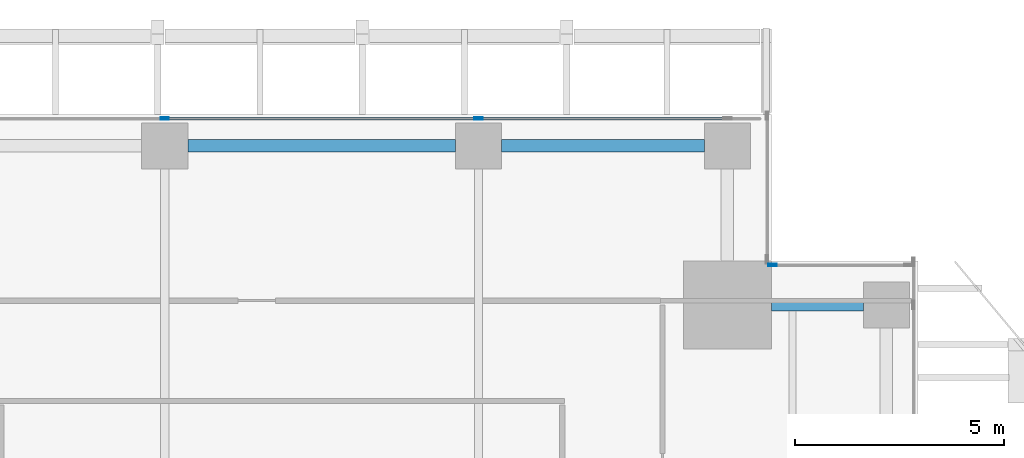
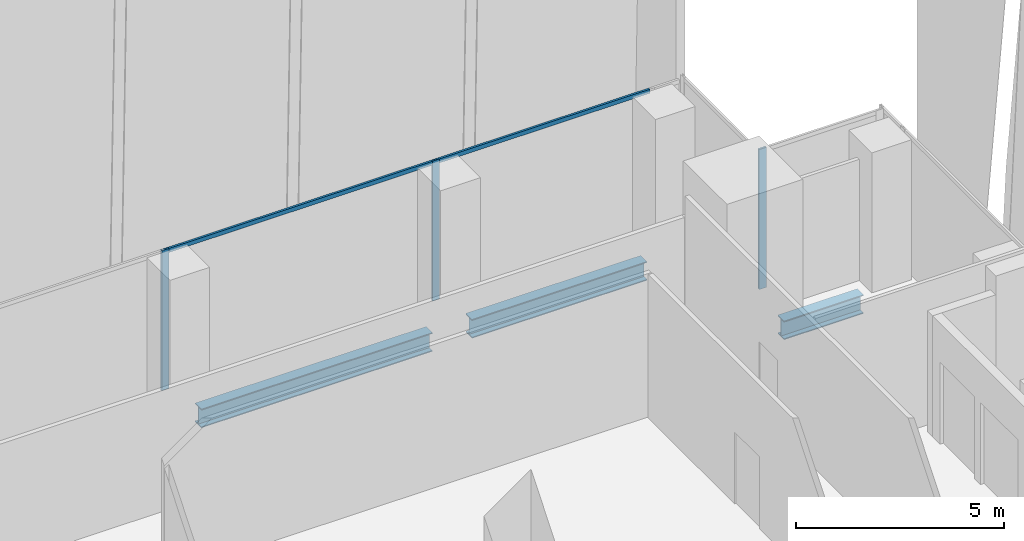
# One storey, part 18 of 35: 5 members, 3 beams, 2 elements without a shape of their own.
"""IFC4 building model written with IfcOpenShell, lengths in metres."""

from ifc_helpers import new_model, si_unit, direction, frame, origin, origin_2d, place, context, subcontext, project, spatial, hollow_rectangle, i_section, extrude, source, transform, mapped, material, material_profile, profile_set, type_object, element, aggregate, save


model = new_model("IFC4")

# Units and contexts
model_context = context("Model", 3, precision=1e-05, world=origin(), true_north=direction((0.0, 1.0)))
body_context = subcontext(model_context, "Body", "Model", "MODEL_VIEW")
ifc_project = project(units=[si_unit("LENGTHUNIT", "METRE"), si_unit("AREAUNIT", "SQUARE_METRE"), si_unit("VOLUMEUNIT", "CUBIC_METRE"), si_unit("PLANEANGLEUNIT", "RADIAN"), si_unit("MASSUNIT", "GRAM", prefix="KILO")], contexts=[model_context])

# Site, building, storey
site_placement = place(None, origin())
site = spatial("IfcSite", under=ifc_project, at=site_placement, CompositionType="ELEMENT")
building_placement = place(site_placement, origin())
building = spatial("IfcBuilding", under=site, at=building_placement, Name="Khomas Fold Tower", CompositionType="ELEMENT")
storey_placement = place(building_placement, frame((0.0, 0.0, 127.89990234375)))
storey = spatial("IfcBuildingStorey", under=building, at=storey_placement, Name="L27", CompositionType="ELEMENT", Elevation=127.89990234375)

# Beams
ifc_material_1 = material(Name="Steel S355", Category="steel")
ifc_material_profile_1 = material_profile(ifc_material_1, i_section(OverallWidth=0.300048828125, OverallDepth=0.550048828125, WebThickness=0.014892578125, FlangeThickness=0.029052734375, at=origin_2d()), Name="HE 550 B")
ifc_profile_set_1 = profile_set([ifc_material_profile_1], Name="Steel S355")
beam_type = type_object("IfcBeamType", Name="HE 550 B spandrel SB2", PredefinedType="SPANDREL", material=ifc_profile_set_1)
shared_shape_1 = source(origin(), body_context, "Body", "SweptSolid", [
    extrude(i_section(OverallWidth=0.300048828125, OverallDepth=0.550048828125, WebThickness=0.014892578125, FlangeThickness=0.029052734375, at=origin_2d()), origin(), (0.0, 0.0, 1.0), 4.849853515625),
])
beam_1_placement = place(storey_placement, frame((42.550048828125, 51.75, -0.574951171875), z_axis=(1.0, 0.0, 0.0), x_axis=(0.0, 1.0, 0.0)))
element("IfcBeam", 1, at=beam_1_placement, inside=storey, type_object=beam_type, Name="SB2", PredefinedType="SPANDREL", context=body_context, shape_type="MappedRepresentation", body=[
    mapped(shared_shape_1, transform((0.0, 0.0, 0.0))),
])
shared_shape_2 = source(origin(), body_context, "Body", "SweptSolid", [
    extrude(i_section(OverallWidth=0.300048828125, OverallDepth=0.550048828125, WebThickness=0.014892578125, FlangeThickness=0.029052734375, at=origin_2d()), origin(), (0.0, 0.0, 1.0), 6.39990234375),
])
beam_2_placement = place(storey_placement, frame((35.050048828125, 51.75, -0.574951171875), z_axis=(1.0, 0.0, 0.0), x_axis=(0.0, 1.0, 0.0)))
element("IfcBeam", 2, at=beam_2_placement, inside=storey, type_object=beam_type, Name="SB2", PredefinedType="SPANDREL", context=body_context, shape_type="MappedRepresentation", body=[
    mapped(shared_shape_2, transform((0.0, 0.0, 0.0))),
])
shared_shape_3 = source(origin(), body_context, "Body", "SweptSolid", [
    extrude(i_section(OverallWidth=0.300048828125, OverallDepth=0.550048828125, WebThickness=0.014892578125, FlangeThickness=0.029052734375, at=origin_2d()), origin(), (0.0, 0.0, 1.0), 2.199951171875),
])
beam_3_placement = place(storey_placement, frame((49.0, 47.949951171875, -0.574951171875), z_axis=(1.0, 0.0, 0.0), x_axis=(0.0, 1.0, 0.0)))
element("IfcBeam", 3, at=beam_3_placement, inside=storey, type_object=beam_type, Name="SB2", PredefinedType="SPANDREL", context=body_context, shape_type="MappedRepresentation", body=[
    mapped(shared_shape_3, transform((0.0, 0.0, 0.0))),
])

# Curtain wall, member
ifc_material_2 = material(Name="Aluminium framed double glazing", Category="aluminium")
curtain_wall_type = type_object("IfcCurtainWallType", Name="SK-Unitised clear-glass wall, growing floors CW1", PredefinedType="NOTDEFINED", material=ifc_material_2)
curtain_wall_1_placement = place(storey_placement, origin())
curtain_wall_1 = element("IfcCurtainWall", 4, at=curtain_wall_1_placement, inside=storey, type_object=curtain_wall_type, Name="CW1 run L27 06-0", PredefinedType="NOTDEFINED")
ifc_material_3 = material(Name="Aluminium", Category="aluminium")
ifc_material_profile_2 = material_profile(ifc_material_3, hollow_rectangle(XDim=0.06005859375, YDim=0.1201171875, WallThickness=0.00390625, at=origin_2d()), Name="SK-Unitised clear-glass wall, growing floors transom CW1-T")
ifc_profile_set_2 = profile_set([ifc_material_profile_2], Name="Aluminium")
member_type_1 = type_object("IfcMemberType", Name="SK-Unitised clear-glass wall, growing floors transom CW1-T", PredefinedType="USERDEFINED", material=ifc_profile_set_2)
shared_shape_4 = source(origin(), body_context, "Body", "SweptSolid", [
    extrude(hollow_rectangle(XDim=0.06005859375, YDim=0.1201171875, WallThickness=0.00390625, at=origin_2d()), origin(), (0.0, 0.0, 1.0), 7.43994140625),
])
member_1_placement = place(storey_placement, frame((41.969970703125, 52.39990234375, 4.0400390625), z_axis=(-1.0, 0.0, 0.0), x_axis=(0.0, -1.0, 0.0)))
member_1 = element("IfcMember", 5, at=member_1_placement, type_object=member_type_1, Name="CW1 transom 3", ObjectType="TRANSOM", PredefinedType="USERDEFINED", context=body_context, shape_type="MappedRepresentation", body=[
    mapped(shared_shape_4, transform((0.0, 0.0, 0.0))),
])

curtain_wall_2_placement = place(storey_placement, origin())
curtain_wall_2 = element("IfcCurtainWall", 6, at=curtain_wall_2_placement, inside=storey, type_object=curtain_wall_type, Name="CW1 corner return L27 04", PredefinedType="NOTDEFINED")
ifc_material_4 = material(Name="Aluminium", Category="aluminium")
ifc_material_profile_3 = material_profile(ifc_material_4, hollow_rectangle(XDim=0.06005859375, YDim=0.199951171875, WallThickness=0.00390625, at=origin_2d()), Name="SK-Unitised clear-glass wall, growing floors mullion CW1-M")
ifc_profile_set_3 = profile_set([ifc_material_profile_3], Name="Aluminium")
member_type_2 = type_object("IfcMemberType", Name="SK-Unitised clear-glass wall, growing floors mullion CW1-M", PredefinedType="MULLION", material=ifc_profile_set_3)
shared_shape_5 = source(origin(), body_context, "Body", "SweptSolid", [
    extrude(hollow_rectangle(XDim=0.06005859375, YDim=0.199951171875, WallThickness=0.00390625, at=origin_2d()), origin(), (0.0, 0.0, 1.0), 4.10009765625),
])
member_2_placement = place(storey_placement, frame((49.030029296875, 48.89990234375, 0.0), z_axis=(0.0, 0.0, 1.0), x_axis=(0.0, -1.0, 0.0)))
member_2 = element("IfcMember", 7, at=member_2_placement, type_object=member_type_2, Name="CW1 mullion 2", PredefinedType="MULLION", context=body_context, shape_type="MappedRepresentation", body=[
    mapped(shared_shape_5, transform((0.0, 0.0, 0.0))),
])
aggregate(curtain_wall_2, [member_2])

# Member
member_3_placement = place(storey_placement, frame((42.0, 52.39990234375, 0.0), z_axis=(0.0, 0.0, 1.0), x_axis=(0.0, -1.0, 0.0)))
member_3 = element("IfcMember", 8, at=member_3_placement, type_object=member_type_2, Name="CW1 mullion 3", PredefinedType="MULLION", context=body_context, shape_type="MappedRepresentation", body=[
    mapped(shared_shape_5, transform((0.0, 0.0, 0.0))),
])

member_4_placement = place(storey_placement, frame((34.5, 52.39990234375, 0.0), z_axis=(0.0, 0.0, 1.0), x_axis=(0.0, -1.0, 0.0)))
member_4 = element("IfcMember", 9, at=member_4_placement, type_object=member_type_2, Name="CW1 mullion 4", PredefinedType="MULLION", context=body_context, shape_type="MappedRepresentation", body=[
    mapped(shared_shape_5, transform((0.0, 0.0, 0.0))),
])

shared_shape_6 = source(origin(), body_context, "Body", "SweptSolid", [
    extrude(hollow_rectangle(XDim=0.06005859375, YDim=0.1201171875, WallThickness=0.00390625, at=origin_2d()), origin(), (0.0, 0.0, 1.0), 5.889892578125),
])
member_5_placement = place(storey_placement, frame((47.919921875, 52.39990234375, 4.0400390625), z_axis=(-1.0, 0.0, 0.0), x_axis=(0.0, -1.0, 0.0)))
member_5 = element("IfcMember", 10, at=member_5_placement, type_object=member_type_1, Name="CW1 transom 2", ObjectType="TRANSOM", PredefinedType="USERDEFINED", context=body_context, shape_type="MappedRepresentation", body=[
    mapped(shared_shape_6, transform((0.0, 0.0, 0.0))),
])

aggregate(curtain_wall_1, [member_3, member_4, member_5, member_1])

save(model, "model.ifc")
